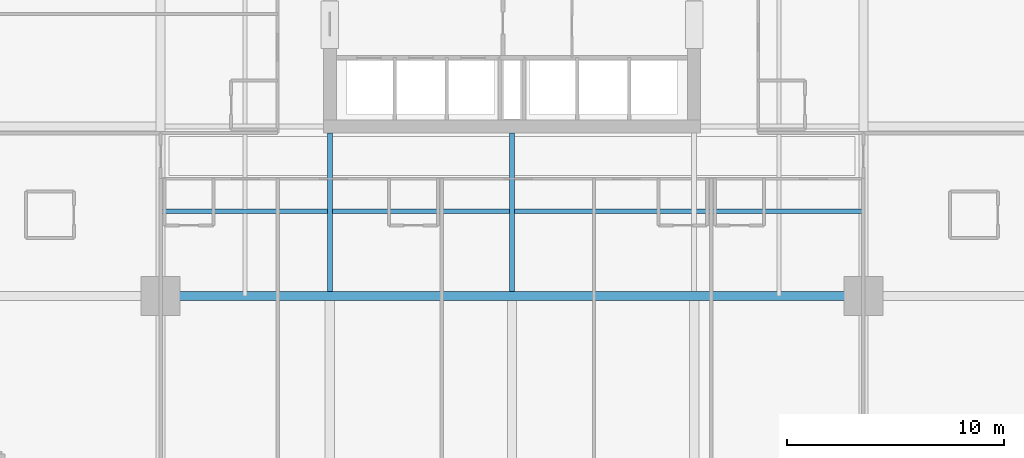
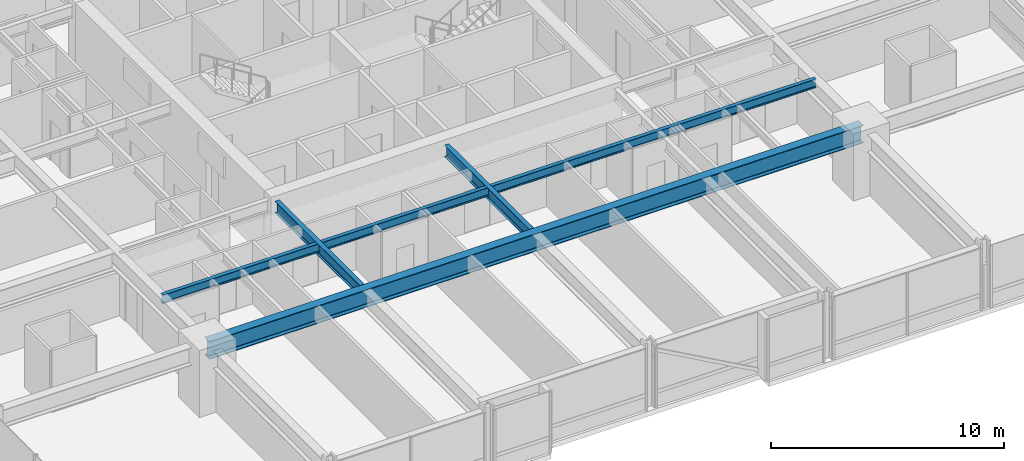
# One storey, part 6 of 38: 4 beams.
"""IFC4 building model written with IfcOpenShell, lengths in metres."""

from ifc_helpers import new_model, si_unit, direction, frame, origin, origin_2d, place, context, subcontext, project, spatial, i_section, extrude, material, material_profile, profile_set, type_object, element, save


model = new_model("IFC4")

# Units and contexts
model_context = context("Model", 3, precision=1e-05, world=origin(), true_north=direction((0.0, 1.0)))
body_context = subcontext(model_context, "Body", "Model", "MODEL_VIEW")
ifc_project = project(units=[si_unit("LENGTHUNIT", "METRE"), si_unit("AREAUNIT", "SQUARE_METRE"), si_unit("VOLUMEUNIT", "CUBIC_METRE"), si_unit("PLANEANGLEUNIT", "RADIAN"), si_unit("MASSUNIT", "GRAM", prefix="KILO")], contexts=[model_context])

# Site, building, storey
site_placement = place(None, origin())
site = spatial("IfcSite", under=ifc_project, at=site_placement, CompositionType="ELEMENT")
building_placement = place(site_placement, origin())
building = spatial("IfcBuilding", under=site, at=building_placement, Name="Drelvath Grand Hotel", CompositionType="ELEMENT")
storey_placement = place(building_placement, frame((0.0, 0.0, 57.699951171875)))
storey = spatial("IfcBuildingStorey", under=building, at=storey_placement, Name="L13", CompositionType="ELEMENT", Elevation=57.699951171875)

# Beams
ifc_material = material(Name="Steel ASTM A992 Gr 50", Category="steel")
ifc_material_profile_1 = material_profile(ifc_material, i_section(OverallWidth=0.19140625, OverallDepth=0.4599609375, WebThickness=0.010009765625, FlangeThickness=0.01611328125, FilletRadius=0.01611328125, at=origin_2d()), Name="W18X55")
ifc_profile_set_1 = profile_set([ifc_material_profile_1], Name="Steel ASTM A992 Gr 50")
beam_type_1 = type_object("IfcBeamType", Name="Composite Floor Joist W18X55", PredefinedType="JOIST", material=ifc_profile_set_1)
beam_1_placement = place(storey_placement, frame((-16.199951171875, 14.699951171875, 3.010009765625), z_axis=(1.0, 0.0, 0.0), x_axis=(0.0, 1.0, 0.0)))
element("IfcBeam", 1, at=beam_1_placement, inside=storey, type_object=beam_type_1, Name="L13 Floor Joist J1", PredefinedType="JOIST", context=body_context, shape_type="SweptSolid", body=[
    extrude(i_section(OverallWidth=0.19140625, OverallDepth=0.4599609375, WebThickness=0.010009765625, FlangeThickness=0.01611328125, FilletRadius=0.01611328125, at=origin_2d()), origin(), (0.0, 0.0, 1.0), 32.39990234375),
])
ifc_material_profile_2 = material_profile(ifc_material, i_section(OverallWidth=0.228271484375, OverallDepth=0.607666015625, WebThickness=0.01123046875, FlangeThickness=0.017333984375, FilletRadius=0.02001953125, at=origin_2d()), Name="W24X76")
ifc_profile_set_2 = profile_set([ifc_material_profile_2], Name="Steel ASTM A992 Gr 50")
beam_type_2 = type_object("IfcBeamType", Name="Primary Floor Girder W24X76", PredefinedType="BEAM", material=ifc_profile_set_2)
for number, where, z_axis, x_axis, name in (
    (2, (-8.39990234375, 11.00927734375, 2.936279296875), (0.0, 1.0, 0.0), (-1.0, 0.0, 0.0), "L13 South Core Tie 4"),
    (3, (0.0, 11.00927734375, 2.936279296875), (0.0, 1.0, 0.0), (-1.0, 0.0, 0.0), "L13 South Core Tie 5"),
):
    element("IfcBeam", number, at=place(storey_placement, frame(where, z_axis=z_axis, x_axis=x_axis)), inside=storey, type_object=beam_type_2, Name=name, PredefinedType="BEAM", context=body_context, shape_type="SweptSolid", body=[
        extrude(i_section(OverallWidth=0.228271484375, OverallDepth=0.607666015625, WebThickness=0.01123046875, FlangeThickness=0.017333984375, FilletRadius=0.02001953125, at=origin_2d()), origin(), (0.0, 0.0, 1.0), 7.290771484375),
    ])
ifc_material_profile_3 = material_profile(ifc_material, i_section(OverallWidth=0.418212890625, OverallDepth=0.926513671875, WebThickness=0.019287109375, FlangeThickness=0.031982421875, FilletRadius=0.028076171875, at=origin_2d()), Name="W36X231")
ifc_profile_set_3 = profile_set([ifc_material_profile_3], Name="Steel ASTM A992 Gr 50")
beam_type_3 = type_object("IfcBeamType", Name="Primary Floor Girder W36X231", PredefinedType="BEAM", material=ifc_profile_set_3)
beam_2_placement = place(storey_placement, frame((-16.199951171875, 10.800048828125, 2.77685546875), z_axis=(1.0, 0.0, 0.0), x_axis=(0.0, 1.0, 0.0)))
element("IfcBeam", 4, at=beam_2_placement, inside=storey, type_object=beam_type_3, Name="L13 Mega Ring Girder South", PredefinedType="BEAM", context=body_context, shape_type="SweptSolid", body=[
    extrude(i_section(OverallWidth=0.418212890625, OverallDepth=0.926513671875, WebThickness=0.019287109375, FlangeThickness=0.031982421875, FilletRadius=0.028076171875, at=origin_2d()), origin(), (0.0, 0.0, 1.0), 32.39990234375),
])

save(model, "model.ifc")
